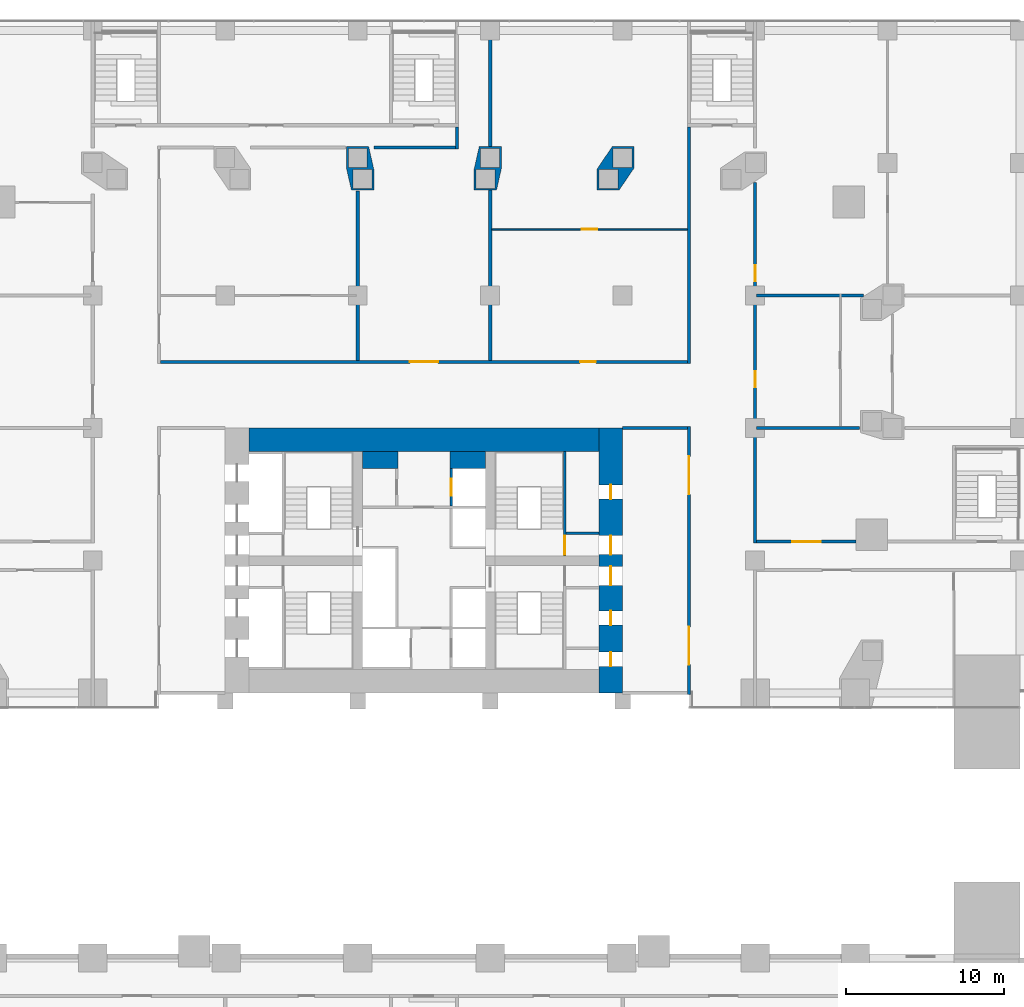
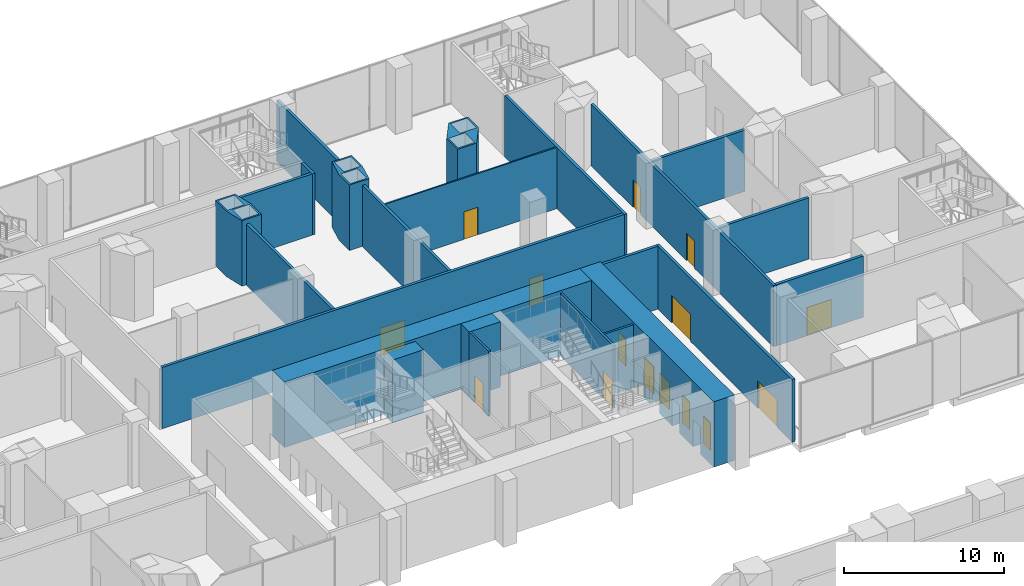
# One storey, part 19 of 28: 24 walls, 15 doors, 15 openings.
"""IFC4 building model written with IfcOpenShell, lengths in metres."""

from ifc_helpers import new_model, si_unit, direction, frame, frame_2d, origin, place, context, subcontext, project, spatial, polyline, rectangle, outline, extrude, material, layer, layer_set, type_object, element, fill, save


model = new_model("IFC4")

# Units and contexts
model_context = context("Model", 3, precision=1e-05, world=origin(), true_north=direction((0.0, 1.0)))
body_context = subcontext(model_context, "Body", "Model", "MODEL_VIEW")
ifc_project = project(units=[si_unit("LENGTHUNIT", "METRE"), si_unit("AREAUNIT", "SQUARE_METRE"), si_unit("VOLUMEUNIT", "CUBIC_METRE"), si_unit("PLANEANGLEUNIT", "RADIAN"), si_unit("MASSUNIT", "GRAM", prefix="KILO")], contexts=[model_context])

# Site, building, storey
site_placement = place(None, origin())
site = spatial("IfcSite", under=ifc_project, at=site_placement, CompositionType="ELEMENT")
building_placement = place(site_placement, origin())
building = spatial("IfcBuilding", under=site, at=building_placement, Name="Marenta Gate Hotel Tower", CompositionType="ELEMENT")
storey_placement = place(building_placement, frame((0.0, 0.0, 26.0)))
storey = spatial("IfcBuildingStorey", under=building, at=storey_placement, Name="L04", CompositionType="ELEMENT", Elevation=26.0)

# Wall, openings, doors
ifc_material_1 = material(Name="Concrete blockwork", Category="masonry")
ifc_layer_1 = layer(ifc_material_1, 0.199951171875)
ifc_layer_set_1 = layer_set([ifc_layer_1], Name="Concrete blockwork")
wall_type_1 = type_object("IfcWallType", Name="Core boundary wall 200 REI 180", PredefinedType="PARTITIONING", material=ifc_layer_set_1)
wall_1_placement = place(storey_placement, frame((16.800048828125, -0.10009765625, 0.0), z_axis=(0.0, 0.0, 1.0), x_axis=(0.0, 1.0, 0.0)))
wall_1 = element("IfcWall", 1, at=wall_1_placement, inside=storey, type_object=wall_type_1, Name="L04-CP-BW-E", PredefinedType="PARTITIONING", context=body_context, shape_type="SweptSolid", body=[
    extrude(rectangle(XDim=17.0, YDim=0.199951171875, at=frame_2d((8.5, 0.0))), origin(), (0.0, 0.0, 1.0), 4.800048828125),
])
opening_1_placement = place(wall_1_placement, frame((1.89990234375, 0.0, 0.0)))
opening_1 = element("IfcOpeningElement", 2, at=opening_1_placement, cuts=wall_1, Name="Opening ED-Ea-A", PredefinedType="OPENING", context=body_context, shape_type="SweptSolid", body=[
    extrude(rectangle(XDim=2.39990234375, YDim=2.10009765625, at=frame_2d((1.199951171875, 1.050048828125))), frame((0.0, 0.10009765625, 0.0), z_axis=(0.0, -1.0, 0.0), x_axis=(1.0, 0.0, 0.0)), (0.0, 0.0, 1.0), 0.199951171875),
])
opening_2_placement = place(wall_1_placement, frame((12.699951171875, 0.0, 0.0)))
opening_2 = element("IfcOpeningElement", 3, at=opening_2_placement, cuts=wall_1, Name="Opening ED-Eb-A", PredefinedType="OPENING", context=body_context, shape_type="SweptSolid", body=[
    extrude(rectangle(XDim=2.39990234375, YDim=2.10009765625, at=frame_2d((1.199951171875, 1.050048828125))), frame((0.0, 0.10009765625, 0.0), z_axis=(0.0, -1.0, 0.0), x_axis=(1.0, 0.0, 0.0)), (0.0, 0.0, 1.0), 0.199951171875),
])
ifc_material_2 = material(Name="Steel", Category="steel")
door_type_1 = type_object("IfcDoorType", Name="Core lobby entrance door 2400x2100 EI 60", OperationType="DOUBLE_DOOR_SINGLE_SWING", PredefinedType="DOOR", material=ifc_material_2)
door_1_placement = place(opening_1_placement, origin())
door_1 = element("IfcDoor", 4, at=door_1_placement, inside=storey, type_object=door_type_1, Name="ED-Ea-A", OperationType="DOUBLE_DOOR_SINGLE_SWING", OverallHeight=2.10009765625, OverallWidth=2.39990234375, PredefinedType="DOOR", context=body_context, shape_type="SweptSolid", body=[
    extrude(rectangle(XDim=2.39990234375, YDim=2.10009765625, at=frame_2d((1.199951171875, 1.050048828125))), frame((0.0, 0.02490234375, 0.0), z_axis=(0.0, -1.0, 0.0), x_axis=(1.0, 0.0, 0.0)), (0.0, 0.0, 1.0), 0.050048828125),
])
fill(opening_1, door_1)
door_2_placement = place(opening_2_placement, origin())
door_2 = element("IfcDoor", 5, at=door_2_placement, inside=storey, type_object=door_type_1, Name="ED-Eb-A", OperationType="DOUBLE_DOOR_SINGLE_SWING", OverallHeight=2.10009765625, OverallWidth=2.39990234375, PredefinedType="DOOR", context=body_context, shape_type="SweptSolid", body=[
    extrude(rectangle(XDim=2.39990234375, YDim=2.10009765625, at=frame_2d((1.199951171875, 1.050048828125))), frame((0.0, 0.02490234375, 0.0), z_axis=(0.0, -1.0, 0.0), x_axis=(1.0, 0.0, 0.0)), (0.0, 0.0, 1.0), 0.050048828125),
])
fill(opening_2, door_2)

# Walls
wall_2_placement = place(storey_placement, frame((12.60009765625, 16.800048828125, 0.0), z_axis=(0.0, 0.0, 1.0), x_axis=(1.0, 0.0, 0.0)))
element("IfcWall", 6, at=wall_2_placement, inside=storey, type_object=wall_type_1, Name="L04-CP-EW-EN", PredefinedType="PARTITIONING", context=body_context, shape_type="SweptSolid", body=[
    extrude(rectangle(XDim=4.099853515625, YDim=0.199951171875, at=frame_2d((2.0498046875, 0.0))), origin(), (0.0, 0.0, 1.0), 4.800048828125),
])
ifc_material_3 = material(Name="Concrete blockwork", Category="masonry")
ifc_layer_2 = layer(ifc_material_3, 1.050048828125)
ifc_layer_set_2 = layer_set([ifc_layer_2], Name="Concrete blockwork")
wall_type_2 = type_object("IfcWallType", Name="Core room partition 1050 REI 180", PredefinedType="PARTITIONING", material=ifc_layer_set_2)
wall_3_placement = place(storey_placement, frame((-3.89990234375, 14.77490234375, 0.0), z_axis=(0.0, 0.0, 1.0), x_axis=(1.0, 0.0, 0.0)))
element("IfcWall", 7, at=wall_3_placement, inside=storey, type_object=wall_type_2, Name="L04-CP-CW-W-riser-N", PredefinedType="PARTITIONING", context=body_context, shape_type="SweptSolid", body=[
    extrude(rectangle(XDim=2.25, YDim=1.050048828125, at=frame_2d((1.125, 0.0))), origin(), (0.0, 0.0, 1.0), 4.800048828125),
])
ifc_material_4 = material(Name="Concrete blockwork", Category="masonry")
ifc_layer_3 = layer(ifc_material_4, 0.14990234375)
ifc_layer_set_3 = layer_set([ifc_layer_3], Name="Concrete blockwork")
wall_type_3 = type_object("IfcWallType", Name="Core room partition 150 REI 180", PredefinedType="PARTITIONING", material=ifc_layer_set_3)
wall_4_placement = place(storey_placement, frame((9.0, 10.125, 0.0), z_axis=(0.0, 0.0, 1.0), x_axis=(1.0, 0.0, 0.0)))
element("IfcWall", 8, at=wall_4_placement, inside=storey, type_object=wall_type_3, Name="L04-CP-SW-EN-2", PredefinedType="PARTITIONING", context=body_context, shape_type="SweptSolid", body=[
    extrude(rectangle(XDim=2.10009765625, YDim=0.14990234375, at=frame_2d((1.050048828125, 0.0))), origin(), (0.0, 0.0, 1.0), 4.800048828125),
])
ifc_material_5 = material(Name="Concrete C40", Category="concrete")
ifc_layer_4 = layer(ifc_material_5, 1.050048828125)
ifc_layer_set_4 = layer_set([ifc_layer_4], Name="Concrete C40")
wall_type_4 = type_object("IfcWallType", Name="Core shaft wall 1050 REI 180", PredefinedType="SHEAR", material=ifc_layer_set_4)
wall_5_placement = place(storey_placement, frame((1.64990234375, 14.77490234375, 0.0), z_axis=(0.0, 0.0, 1.0), x_axis=(1.0, 0.0, 0.0)))
element("IfcWall", 9, at=wall_5_placement, inside=storey, type_object=wall_type_4, Name="L04-SHF-CE-N-top", PredefinedType="SHEAR", context=body_context, shape_type="SweptSolid", body=[
    extrude(rectangle(XDim=2.25, YDim=1.050048828125, at=frame_2d((1.125, 0.0))), origin(), (0.0, 0.0, 1.0), 5.0),
])

# Wall, opening, door
ifc_material_6 = material(Name="Concrete C40", Category="concrete")
ifc_layer_5 = layer(ifc_material_6, 0.14990234375)
ifc_layer_set_5 = layer_set([ifc_layer_5], Name="Concrete C40")
wall_type_5 = type_object("IfcWallType", Name="Core shaft wall 150 REI 180", PredefinedType="SHEAR", material=ifc_layer_set_5)
wall_6_placement = place(storey_placement, frame((1.72509765625, 11.85009765625, 0.0), z_axis=(0.0, 0.0, 1.0), x_axis=(0.0, 1.0, 0.0)))
wall_6 = element("IfcWall", 10, at=wall_6_placement, inside=storey, type_object=wall_type_5, Name="L04-SHF-CE-N-front2", PredefinedType="SHEAR", context=body_context, shape_type="SweptSolid", body=[
    extrude(rectangle(XDim=2.39990234375, YDim=0.14990234375, at=frame_2d((1.199951171875, 0.0))), origin(), (0.0, 0.0, 1.0), 5.0),
])
opening_3_placement = place(wall_6_placement, frame((0.64990234375, 0.0, 0.0)))
opening_3 = element("IfcOpeningElement", 11, at=opening_3_placement, cuts=wall_6, Name="Opening LD-FF2", PredefinedType="OPENING", context=body_context, shape_type="SweptSolid", body=[
    extrude(rectangle(XDim=1.10009765625, YDim=2.10009765625, at=frame_2d((0.550048828125, 1.050048828125))), frame((0.0, 0.074951171875, 0.0), z_axis=(0.0, -1.0, 0.0), x_axis=(1.0, 0.0, 0.0)), (0.0, 0.0, 1.0), 0.14990234375),
])
ifc_material_7 = material(Name="Steel", Category="steel")
door_type_2 = type_object("IfcDoorType", Name="Core lift landing door 1100x2100 E 60", OperationType="SLIDING_TO_LEFT", PredefinedType="DOOR", material=ifc_material_7)
door_3_placement = place(opening_3_placement, origin())
door_3 = element("IfcDoor", 12, at=door_3_placement, inside=storey, type_object=door_type_2, Name="LD-FF2", OperationType="SLIDING_TO_LEFT", OverallHeight=2.10009765625, OverallWidth=1.10009765625, PredefinedType="DOOR", context=body_context, shape_type="SweptSolid", body=[
    extrude(rectangle(XDim=1.10009765625, YDim=2.10009765625, at=frame_2d((0.550048828125, 1.050048828125))), frame((0.0, 0.02490234375, 0.0), z_axis=(0.0, -1.0, 0.0), x_axis=(1.0, 0.0, 0.0)), (0.0, 0.0, 1.0), 0.050048828125),
])
fill(opening_3, door_3)

ifc_material_8 = material(Name="Concrete C40", Category="concrete")
ifc_layer_6 = layer(ifc_material_8, 0.14990234375)
ifc_layer_set_6 = layer_set([ifc_layer_6], Name="Concrete C40")
wall_type_6 = type_object("IfcWallType", Name="Core stair enclosure wall 150 REI 180", PredefinedType="SHEAR", material=ifc_layer_set_6)
wall_7_placement = place(storey_placement, frame((8.925048828125, 8.699951171875, 0.0), z_axis=(0.0, 0.0, 1.0), x_axis=(0.0, 1.0, 0.0)))
wall_7 = element("IfcWall", 13, at=wall_7_placement, inside=storey, type_object=wall_type_6, Name="L04-SHF-SW-EN-3", PredefinedType="SHEAR", context=body_context, shape_type="SweptSolid", body=[
    extrude(rectangle(XDim=6.60009765625, YDim=0.14990234375, at=frame_2d((3.300048828125, 0.0))), origin(), (0.0, 0.0, 1.0), 4.800048828125),
])
opening_4_placement = place(wall_7_placement, frame((0.074951171875, 0.0, 0.0)))
opening_4 = element("IfcOpeningElement", 14, at=opening_4_placement, cuts=wall_7, Name="Opening SD-EN", PredefinedType="OPENING", context=body_context, shape_type="SweptSolid", body=[
    extrude(rectangle(XDim=1.199951171875, YDim=2.10009765625, at=frame_2d((0.60009765625, 1.050048828125))), frame((0.0, 0.074951171875, 0.0), z_axis=(0.0, -1.0, 0.0), x_axis=(1.0, 0.0, 0.0)), (0.0, 0.0, 1.0), 0.14990234375),
])
ifc_material_9 = material(Name="Steel", Category="steel")
door_type_3 = type_object("IfcDoorType", Name="Core stair door 1200x2100 FD60", OperationType="SINGLE_SWING_LEFT", PredefinedType="DOOR", material=ifc_material_9)
door_4_placement = place(opening_4_placement, origin())
door_4 = element("IfcDoor", 15, at=door_4_placement, inside=storey, type_object=door_type_3, Name="SD-EN", OperationType="SINGLE_SWING_LEFT", OverallHeight=2.10009765625, OverallWidth=1.199951171875, PredefinedType="DOOR", context=body_context, shape_type="SweptSolid", body=[
    extrude(rectangle(XDim=1.199951171875, YDim=2.10009765625, at=frame_2d((0.60009765625, 1.050048828125))), frame((0.0, 0.02490234375, 0.0), z_axis=(0.0, -1.0, 0.0), x_axis=(1.0, 0.0, 0.0)), (0.0, 0.0, 1.0), 0.050048828125),
])
fill(opening_4, door_4)

# Wall, openings, doors
ifc_material_10 = material(Name="Concrete C80", Category="concrete")
ifc_layer_7 = layer(ifc_material_10, 1.5)
ifc_layer_set_7 = layer_set([ifc_layer_7], Name="Concrete C80")
wall_type_7 = type_object("IfcWallType", Name="Core wall 1500 C80", PredefinedType="SHEAR", material=ifc_layer_set_7)
wall_8_placement = place(storey_placement, frame((11.85009765625, 0.0, 0.0), z_axis=(0.0, 0.0, 1.0), x_axis=(0.0, 1.0, 0.0)))
wall_8 = element("IfcWall", 16, at=wall_8_placement, inside=storey, type_object=wall_type_7, Name="L04-CORE-E", PredefinedType="SHEAR", context=body_context, shape_type="SweptSolid", body=[
    extrude(rectangle(XDim=16.800048828125, YDim=1.5, at=frame_2d((8.39990234375, 0.0))), origin(), (0.0, 0.0, 1.0), 5.0),
])
opening_5_placement = place(wall_8_placement, frame((1.6875, 0.0, 0.0)))
opening_5 = element("IfcOpeningElement", 17, at=opening_5_placement, cuts=wall_8, Name="Opening RD-ES-1", PredefinedType="OPENING", context=body_context, shape_type="SweptSolid", body=[
    extrude(rectangle(XDim=0.89990234375, YDim=2.10009765625, at=frame_2d((0.449951171875, 1.050048828125))), frame((0.0, 0.75, 0.0), z_axis=(0.0, -1.0, 0.0), x_axis=(1.0, 0.0, 0.0)), (0.0, 0.0, 1.0), 1.5),
])
opening_6_placement = place(wall_8_placement, frame((4.3125, 0.0, 0.0)))
opening_6 = element("IfcOpeningElement", 18, at=opening_6_placement, cuts=wall_8, Name="Opening RD-ES-2", PredefinedType="OPENING", context=body_context, shape_type="SweptSolid", body=[
    extrude(rectangle(XDim=0.89990234375, YDim=2.10009765625, at=frame_2d((0.449951171875, 1.050048828125))), frame((0.0, 0.75, 0.0), z_axis=(0.0, -1.0, 0.0), x_axis=(1.0, 0.0, 0.0)), (0.0, 0.0, 1.0), 1.5),
])
opening_7_placement = place(wall_8_placement, frame((6.824951171875, 0.0, 0.0)))
opening_7 = element("IfcOpeningElement", 19, at=opening_7_placement, cuts=wall_8, Name="Opening PD-ES", PredefinedType="OPENING", context=body_context, shape_type="SweptSolid", body=[
    extrude(rectangle(XDim=1.199951171875, YDim=2.10009765625, at=frame_2d((0.60009765625, 1.050048828125))), frame((0.0, 0.75, 0.0), z_axis=(0.0, -1.0, 0.0), x_axis=(1.0, 0.0, 0.0)), (0.0, 0.0, 1.0), 1.5),
])
opening_8_placement = place(wall_8_placement, frame((12.300048828125, 0.0, 0.0)))
opening_8 = element("IfcOpeningElement", 20, at=opening_8_placement, cuts=wall_8, Name="Opening RD-EN-1", PredefinedType="OPENING", context=body_context, shape_type="SweptSolid", body=[
    extrude(rectangle(XDim=0.89990234375, YDim=2.10009765625, at=frame_2d((0.449951171875, 1.050048828125))), frame((0.0, 0.75, 0.0), z_axis=(0.0, -1.0, 0.0), x_axis=(1.0, 0.0, 0.0)), (0.0, 0.0, 1.0), 1.5),
])
opening_9_placement = place(wall_8_placement, frame((8.77490234375, 0.0, 0.0)))
opening_9 = element("IfcOpeningElement", 21, at=opening_9_placement, cuts=wall_8, Name="Opening PD-EN", PredefinedType="OPENING", context=body_context, shape_type="SweptSolid", body=[
    extrude(rectangle(XDim=1.199951171875, YDim=2.10009765625, at=frame_2d((0.60009765625, 1.050048828125))), frame((0.0, 0.75, 0.0), z_axis=(0.0, -1.0, 0.0), x_axis=(1.0, 0.0, 0.0)), (0.0, 0.0, 1.0), 1.5),
])
ifc_material_11 = material(Name="Steel", Category="steel")
door_type_4 = type_object("IfcDoorType", Name="Core lobby door 1200x2100 FD60", OperationType="SINGLE_SWING_LEFT", PredefinedType="DOOR", material=ifc_material_11)
door_5_placement = place(opening_7_placement, origin())
door_5 = element("IfcDoor", 22, at=door_5_placement, inside=storey, type_object=door_type_4, Name="PD-ES", OperationType="SINGLE_SWING_LEFT", OverallHeight=2.10009765625, OverallWidth=1.199951171875, PredefinedType="DOOR", context=body_context, shape_type="SweptSolid", body=[
    extrude(rectangle(XDim=1.199951171875, YDim=2.10009765625, at=frame_2d((0.60009765625, 1.050048828125))), frame((0.0, 0.02490234375, 0.0), z_axis=(0.0, -1.0, 0.0), x_axis=(1.0, 0.0, 0.0)), (0.0, 0.0, 1.0), 0.050048828125),
])
fill(opening_7, door_5)
door_6_placement = place(opening_9_placement, origin())
door_6 = element("IfcDoor", 23, at=door_6_placement, inside=storey, type_object=door_type_4, Name="PD-EN", OperationType="SINGLE_SWING_LEFT", OverallHeight=2.10009765625, OverallWidth=1.199951171875, PredefinedType="DOOR", context=body_context, shape_type="SweptSolid", body=[
    extrude(rectangle(XDim=1.199951171875, YDim=2.10009765625, at=frame_2d((0.60009765625, 1.050048828125))), frame((0.0, 0.02490234375, 0.0), z_axis=(0.0, -1.0, 0.0), x_axis=(1.0, 0.0, 0.0)), (0.0, 0.0, 1.0), 0.050048828125),
])
fill(opening_9, door_6)
ifc_material_12 = material(Name="Steel", Category="steel")
door_type_5 = type_object("IfcDoorType", Name="Core service room door 900x2100 FD30S", OperationType="SINGLE_SWING_LEFT", PredefinedType="DOOR", material=ifc_material_12)
door_7_placement = place(opening_5_placement, origin())
door_7 = element("IfcDoor", 24, at=door_7_placement, inside=storey, type_object=door_type_5, Name="RD-ES-1", OperationType="SINGLE_SWING_LEFT", OverallHeight=2.10009765625, OverallWidth=0.89990234375, PredefinedType="DOOR", context=body_context, shape_type="SweptSolid", body=[
    extrude(rectangle(XDim=0.89990234375, YDim=2.10009765625, at=frame_2d((0.449951171875, 1.050048828125))), frame((0.0, 0.02490234375, 0.0), z_axis=(0.0, -1.0, 0.0), x_axis=(1.0, 0.0, 0.0)), (0.0, 0.0, 1.0), 0.050048828125),
])
fill(opening_5, door_7)
door_8_placement = place(opening_6_placement, origin())
door_8 = element("IfcDoor", 25, at=door_8_placement, inside=storey, type_object=door_type_5, Name="RD-ES-2", OperationType="SINGLE_SWING_LEFT", OverallHeight=2.10009765625, OverallWidth=0.89990234375, PredefinedType="DOOR", context=body_context, shape_type="SweptSolid", body=[
    extrude(rectangle(XDim=0.89990234375, YDim=2.10009765625, at=frame_2d((0.449951171875, 1.050048828125))), frame((0.0, 0.02490234375, 0.0), z_axis=(0.0, -1.0, 0.0), x_axis=(1.0, 0.0, 0.0)), (0.0, 0.0, 1.0), 0.050048828125),
])
fill(opening_6, door_8)
door_9_placement = place(opening_8_placement, origin())
door_9 = element("IfcDoor", 26, at=door_9_placement, inside=storey, type_object=door_type_5, Name="RD-EN-1", OperationType="SINGLE_SWING_LEFT", OverallHeight=2.10009765625, OverallWidth=0.89990234375, PredefinedType="DOOR", context=body_context, shape_type="SweptSolid", body=[
    extrude(rectangle(XDim=0.89990234375, YDim=2.10009765625, at=frame_2d((0.449951171875, 1.050048828125))), frame((0.0, 0.02490234375, 0.0), z_axis=(0.0, -1.0, 0.0), x_axis=(1.0, 0.0, 0.0)), (0.0, 0.0, 1.0), 0.050048828125),
])
fill(opening_8, door_9)

# Walls
wall_9_placement = place(storey_placement, frame((-11.10009765625, 16.050048828125, 0.0), z_axis=(0.0, 0.0, 1.0), x_axis=(1.0, 0.0, 0.0)))
element("IfcWall", 27, at=wall_9_placement, inside=storey, type_object=wall_type_7, Name="L04-CORE-N", PredefinedType="SHEAR", context=body_context, shape_type="SweptSolid", body=[
    extrude(rectangle(XDim=22.2001953125, YDim=1.5, at=frame_2d((11.10009765625, 0.0))), origin(), (0.0, 0.0, 1.0), 5.0),
])
ifc_material_13 = material(Name="Concrete C70", Category="concrete")
ifc_layer_8 = layer(ifc_material_13, 1.60009765625)
ifc_layer_set_8 = layer_set([ifc_layer_8], Name="Concrete C70")
wall_type_8 = type_object("IfcWallType", Name="Pier wall board-marked concrete C70", PredefinedType="SOLIDWALL", material=ifc_layer_set_8)
wall_10_placement = place(storey_placement, origin())
element("IfcWall", 28, at=wall_10_placement, inside=storey, type_object=wall_type_8, Name="L04-PIER-6", PredefinedType="SOLIDWALL", context=body_context, shape_type="SweptSolid", body=[
    extrude(outline(polyline([(-4.919921875, 33.306640625), (-4.919921875, 34.639892578125), (-3.504150390625, 34.639892578125), (-3.181396484375, 33.21337890625), (-3.181396484375, 31.8798828125), (-4.59716796875, 31.8798828125), (-4.919921875, 33.306640625)]), holes=[polyline([(-4.50146484375, 32.0), (-3.301513671875, 32.0), (-3.301513671875, 33.199951171875), (-4.50146484375, 33.199951171875), (-4.50146484375, 32.0)]), polyline([(-4.800048828125, 33.320068359375), (-3.60009765625, 33.320068359375), (-3.60009765625, 34.52001953125), (-4.800048828125, 34.52001953125), (-4.800048828125, 33.320068359375)])]), origin(), (0.0, 0.0, 1.0), 5.0),
])
wall_11_placement = place(storey_placement, origin())
element("IfcWall", 29, at=wall_11_placement, inside=storey, type_object=wall_type_8, Name="L04-PIER-7", PredefinedType="SOLIDWALL", context=body_context, shape_type="SweptSolid", body=[
    extrude(outline(polyline([(3.181396484375, 33.21337890625), (3.504150390625, 34.639892578125), (4.919921875, 34.639892578125), (4.919921875, 33.306640625), (4.59716796875, 31.8798828125), (3.181396484375, 31.8798828125), (3.181396484375, 33.21337890625)]), holes=[polyline([(3.60009765625, 33.320068359375), (4.800048828125, 33.320068359375), (4.800048828125, 34.52001953125), (3.60009765625, 34.52001953125), (3.60009765625, 33.320068359375)]), polyline([(3.301513671875, 32.0), (4.50146484375, 32.0), (4.50146484375, 33.199951171875), (3.301513671875, 33.199951171875), (3.301513671875, 32.0)])]), origin(), (0.0, 0.0, 1.0), 5.0),
])
wall_12_placement = place(storey_placement, origin())
element("IfcWall", 30, at=wall_12_placement, inside=storey, type_object=wall_type_8, Name="L04-PIER-8", PredefinedType="SOLIDWALL", context=body_context, shape_type="SweptSolid", body=[
    extrude(outline(polyline([(11.9365234375, 34.639892578125), (13.320068359375, 34.639892578125), (13.320068359375, 33.283203125), (12.36767578125, 31.8798828125), (10.984130859375, 31.8798828125), (10.984130859375, 33.23681640625), (11.9365234375, 34.639892578125)]), holes=[polyline([(13.199951171875, 33.320068359375), (13.199951171875, 34.52001953125), (12.0, 34.52001953125), (12.0, 33.320068359375), (13.199951171875, 33.320068359375)]), polyline([(12.30419921875, 32.0), (12.30419921875, 33.199951171875), (11.10400390625, 33.199951171875), (11.10400390625, 32.0), (12.30419921875, 32.0)])]), origin(), (0.0, 0.0, 1.0), 5.0),
])

# Wall, openings, doors
ifc_material_14 = material(Name="Concrete blockwork", Category="masonry")
ifc_layer_9 = layer(ifc_material_14, 0.199951171875)
ifc_layer_set_9 = layer_set([ifc_layer_9], Name="Concrete blockwork")
wall_type_9 = type_object("IfcWallType", Name="Room corridor wall 200 EI 120", PredefinedType="PARTITIONING", material=ifc_layer_set_9)
wall_13_placement = place(storey_placement, frame((21.0, 9.5, 0.0), z_axis=(0.0, 0.0, 1.0), x_axis=(0.0, 1.0, 0.0)))
wall_13 = element("IfcWall", 31, at=wall_13_placement, inside=storey, type_object=wall_type_9, Name="L04-PTN-W013", PredefinedType="PARTITIONING", context=body_context, shape_type="SweptSolid", body=[
    extrude(rectangle(XDim=22.87109375, YDim=0.199951171875, at=frame_2d((11.435546875, 0.0))), origin(), (0.0, 0.0, 1.0), 4.679931640625),
])
opening_10_placement = place(wall_13_placement, frame((9.89990234375, 0.0, 0.0)))
opening_10 = element("IfcOpeningElement", 32, at=opening_10_placement, cuts=wall_13, Name="Opening S05-13", PredefinedType="OPENING", context=body_context, shape_type="SweptSolid", body=[
    extrude(rectangle(XDim=1.0, YDim=2.10009765625, at=frame_2d((0.5, 1.050048828125))), frame((0.0, 0.10009765625, 0.0), z_axis=(0.0, -1.0, 0.0), x_axis=(1.0, 0.0, 0.0)), (0.0, 0.0, 1.0), 0.199951171875),
])
opening_11_placement = place(wall_13_placement, frame((16.616943359375, 0.0, 0.0)))
opening_11 = element("IfcOpeningElement", 33, at=opening_11_placement, cuts=wall_13, Name="Opening S05-16", PredefinedType="OPENING", context=body_context, shape_type="SweptSolid", body=[
    extrude(rectangle(XDim=1.0, YDim=2.10009765625, at=frame_2d((0.5, 1.050048828125))), frame((0.0, 0.10009765625, 0.0), z_axis=(0.0, -1.0, 0.0), x_axis=(1.0, 0.0, 0.0)), (0.0, 0.0, 1.0), 0.199951171875),
])
ifc_material_15 = material(Name="Hollow steel door set", Category="steel")
door_type_6 = type_object("IfcDoorType", Name="Room service door 1000x2100 EI 60", OperationType="NOTDEFINED", PredefinedType="DOOR", material=ifc_material_15)
door_10_placement = place(opening_11_placement, origin())
door_10 = element("IfcDoor", 34, at=door_10_placement, inside=storey, type_object=door_type_6, Name="L04-PD-D016", OperationType="SINGLE_SWING_RIGHT", OverallHeight=2.10009765625, OverallWidth=1.0, PredefinedType="DOOR", context=body_context, shape_type="SweptSolid", body=[
    extrude(rectangle(XDim=1.0, YDim=2.10009765625, at=frame_2d((0.5, 1.050048828125))), frame((0.0, 0.02490234375, 0.0), z_axis=(0.0, -1.0, 0.0), x_axis=(1.0, 0.0, 0.0)), (0.0, 0.0, 1.0), 0.050048828125),
])
fill(opening_11, door_10)
ifc_material_16 = material(Name="Timber door leaf", Category="wood")
door_type_7 = type_object("IfcDoorType", Name="Toilet room door 1000x2100 EI 60", OperationType="NOTDEFINED", PredefinedType="DOOR", material=ifc_material_16)
door_11_placement = place(opening_10_placement, origin())
door_11 = element("IfcDoor", 35, at=door_11_placement, inside=storey, type_object=door_type_7, Name="L04-PD-D013", OperationType="SINGLE_SWING_RIGHT", OverallHeight=2.10009765625, OverallWidth=1.0, PredefinedType="DOOR", context=body_context, shape_type="SweptSolid", body=[
    extrude(rectangle(XDim=1.0, YDim=2.10009765625, at=frame_2d((0.5, 1.050048828125))), frame((0.0, 0.02490234375, 0.0), z_axis=(0.0, -1.0, 0.0), x_axis=(1.0, 0.0, 0.0)), (0.0, 0.0, 1.0), 0.050048828125),
])
fill(opening_10, door_11)

# Wall
wall_14_placement = place(storey_placement, frame((16.800048828125, 20.89990234375, 0.0), z_axis=(0.0, 0.0, 1.0), x_axis=(0.0, 1.0, 0.0)))
element("IfcWall", 36, at=wall_14_placement, inside=storey, type_object=wall_type_9, Name="L04-PTN-W019", PredefinedType="PARTITIONING", context=body_context, shape_type="SweptSolid", body=[
    extrude(rectangle(XDim=15.0, YDim=0.199951171875, at=frame_2d((7.5, 0.0))), origin(), (0.0, 0.0, 1.0), 4.679931640625),
])

# Wall, openings, doors
wall_15_placement = place(storey_placement, frame((-16.699951171875, 21.0, 0.0), z_axis=(0.0, 0.0, 1.0), x_axis=(1.0, 0.0, 0.0)))
wall_15 = element("IfcWall", 37, at=wall_15_placement, inside=storey, type_object=wall_type_9, Name="L04-PTN-W049", PredefinedType="PARTITIONING", context=body_context, shape_type="SweptSolid", body=[
    extrude(rectangle(XDim=33.39990234375, YDim=0.199951171875, at=frame_2d((16.699951171875, 0.0))), origin(), (0.0, 0.0, 1.0), 4.679931640625),
])
opening_12_placement = place(wall_15_placement, frame((15.800048828125, 0.0, 0.0)))
opening_12 = element("IfcOpeningElement", 38, at=opening_12_placement, cuts=wall_15, Name="Opening S05-22", PredefinedType="OPENING", context=body_context, shape_type="SweptSolid", body=[
    extrude(rectangle(XDim=1.800048828125, YDim=2.10009765625, at=frame_2d((0.89990234375, 1.050048828125))), frame((0.0, 0.10009765625, 0.0), z_axis=(0.0, -1.0, 0.0), x_axis=(1.0, 0.0, 0.0)), (0.0, 0.0, 1.0), 0.199951171875),
])
opening_13_placement = place(wall_15_placement, frame((26.60009765625, 0.0, 0.0)))
opening_13 = element("IfcOpeningElement", 39, at=opening_13_placement, cuts=wall_15, Name="Opening S05-23", PredefinedType="OPENING", context=body_context, shape_type="SweptSolid", body=[
    extrude(rectangle(XDim=1.0, YDim=2.10009765625, at=frame_2d((0.5, 1.050048828125))), frame((0.0, 0.10009765625, 0.0), z_axis=(0.0, -1.0, 0.0), x_axis=(1.0, 0.0, 0.0)), (0.0, 0.0, 1.0), 0.199951171875),
])
ifc_material_17 = material(Name="Timber door leaf", Category="wood")
door_type_8 = type_object("IfcDoorType", Name="Room amenity door 1800x2100 EI 60", OperationType="DOUBLE_DOOR_SINGLE_SWING", PredefinedType="DOOR", material=ifc_material_17)
door_12_placement = place(opening_12_placement, origin())
door_12 = element("IfcDoor", 40, at=door_12_placement, inside=storey, type_object=door_type_8, Name="L04-PD-D022", OperationType="DOUBLE_DOOR_SINGLE_SWING", OverallHeight=2.10009765625, OverallWidth=1.800048828125, PredefinedType="DOOR", context=body_context, shape_type="SweptSolid", body=[
    extrude(rectangle(XDim=1.800048828125, YDim=2.10009765625, at=frame_2d((0.89990234375, 1.050048828125))), frame((0.0, 0.02490234375, 0.0), z_axis=(0.0, -1.0, 0.0), x_axis=(1.0, 0.0, 0.0)), (0.0, 0.0, 1.0), 0.050048828125),
])
fill(opening_12, door_12)
door_13_placement = place(opening_13_placement, origin())
door_13 = element("IfcDoor", 41, at=door_13_placement, inside=storey, type_object=door_type_6, Name="L04-PD-D023", OperationType="SINGLE_SWING_RIGHT", OverallHeight=2.10009765625, OverallWidth=1.0, PredefinedType="DOOR", context=body_context, shape_type="SweptSolid", body=[
    extrude(rectangle(XDim=1.0, YDim=2.10009765625, at=frame_2d((0.5, 1.050048828125))), frame((0.0, 0.02490234375, 0.0), z_axis=(0.0, -1.0, 0.0), x_axis=(1.0, 0.0, 0.0)), (0.0, 0.0, 1.0), 0.050048828125),
])
fill(opening_13, door_13)

# Wall
ifc_material_18 = material(Name="Concrete blockwork", Category="masonry")
ifc_layer_10 = layer(ifc_material_18, 0.199951171875)
ifc_layer_set_10 = layer_set([ifc_layer_10], Name="Concrete blockwork")
wall_type_10 = type_object("IfcWallType", Name="Room corridor wall 200 REI 180", PredefinedType="PARTITIONING", material=ifc_layer_set_10)
wall_16_placement = place(storey_placement, frame((2.10009765625, 34.5, 0.0), z_axis=(0.0, 0.0, 1.0), x_axis=(0.0, 1.0, 0.0)))
element("IfcWall", 42, at=wall_16_placement, inside=storey, type_object=wall_type_10, Name="L04-PTN-W026", PredefinedType="PARTITIONING", context=body_context, shape_type="SweptSolid", body=[
    extrude(rectangle(XDim=1.39990234375, YDim=0.199951171875, at=frame_2d((0.699951171875, 0.0))), origin(), (0.0, 0.0, 1.0), 4.679931640625),
])

# Wall, opening, door
wall_17_placement = place(storey_placement, frame((21.10009765625, 9.60009765625, 0.0), z_axis=(0.0, 0.0, 1.0), x_axis=(1.0, 0.0, 0.0)))
wall_17 = element("IfcWall", 43, at=wall_17_placement, inside=storey, type_object=wall_type_10, Name="L04-PTN-W034", PredefinedType="PARTITIONING", context=body_context, shape_type="SweptSolid", body=[
    extrude(rectangle(XDim=6.2998046875, YDim=0.199951171875, at=frame_2d((3.14990234375, 0.0))), origin(), (0.0, 0.0, 1.0), 4.679931640625),
])
opening_14_placement = place(wall_17_placement, frame((2.25, 0.0, 0.0)))
opening_14 = element("IfcOpeningElement", 44, at=opening_14_placement, cuts=wall_17, Name="Opening S05-11", PredefinedType="OPENING", context=body_context, shape_type="SweptSolid", body=[
    extrude(rectangle(XDim=1.800048828125, YDim=2.10009765625, at=frame_2d((0.89990234375, 1.050048828125))), frame((0.0, 0.10009765625, 0.0), z_axis=(0.0, -1.0, 0.0), x_axis=(1.0, 0.0, 0.0)), (0.0, 0.0, 1.0), 0.199951171875),
])
door_14_placement = place(opening_14_placement, origin())
door_14 = element("IfcDoor", 45, at=door_14_placement, inside=storey, type_object=door_type_8, Name="L04-PD-D011", OperationType="DOUBLE_DOOR_SINGLE_SWING", OverallHeight=2.10009765625, OverallWidth=1.800048828125, PredefinedType="DOOR", context=body_context, shape_type="SweptSolid", body=[
    extrude(rectangle(XDim=1.800048828125, YDim=2.10009765625, at=frame_2d((0.89990234375, 1.050048828125))), frame((0.0, 0.02490234375, 0.0), z_axis=(0.0, -1.0, 0.0), x_axis=(1.0, 0.0, 0.0)), (0.0, 0.0, 1.0), 0.050048828125),
])
fill(opening_14, door_14)

# Wall
wall_18_placement = place(storey_placement, frame((-3.180908203125, 34.60009765625, 0.0), z_axis=(0.0, 0.0, 1.0), x_axis=(1.0, 0.0, 0.0)))
element("IfcWall", 46, at=wall_18_placement, inside=storey, type_object=wall_type_10, Name="L04-PTN-W069", PredefinedType="PARTITIONING", context=body_context, shape_type="SweptSolid", body=[
    extrude(rectangle(XDim=5.180908203125, YDim=0.199951171875, at=frame_2d((2.59033203125, 0.0))), origin(), (0.0, 0.0, 1.0), 4.679931640625),
])

# Wall, opening, door
ifc_material_19 = material(Name="Gypsum board on steel stud", Category="steel")
ifc_layer_11 = layer(ifc_material_19, 0.10009765625)
ifc_layer_set_11 = layer_set([ifc_layer_11], Name="Gypsum board on steel stud")
wall_type_11 = type_object("IfcWallType", Name="Room partition 100", PredefinedType="PARTITIONING", material=ifc_layer_set_11)
wall_19_placement = place(storey_placement, frame((4.300048828125, 29.39990234375, 0.0), z_axis=(0.0, 0.0, 1.0), x_axis=(1.0, 0.0, 0.0)))
wall_19 = element("IfcWall", 47, at=wall_19_placement, inside=storey, type_object=wall_type_11, Name="L04-PTN-W059", PredefinedType="PARTITIONING", context=body_context, shape_type="SweptSolid", body=[
    extrude(rectangle(XDim=12.39990234375, YDim=0.10009765625, at=frame_2d((6.199951171875, 0.0))), origin(), (0.0, 0.0, 1.0), 4.679931640625),
])
opening_15_placement = place(wall_19_placement, frame((5.699951171875, 0.0, 0.0)))
opening_15 = element("IfcOpeningElement", 48, at=opening_15_placement, cuts=wall_19, Name="Opening S05-24", PredefinedType="OPENING", context=body_context, shape_type="SweptSolid", body=[
    extrude(rectangle(XDim=1.0, YDim=2.10009765625, at=frame_2d((0.5, 1.050048828125))), frame((0.0, 0.050048828125, 0.0), z_axis=(0.0, -1.0, 0.0), x_axis=(1.0, 0.0, 0.0)), (0.0, 0.0, 1.0), 0.10009765625),
])
ifc_material_20 = material(Name="Timber door leaf", Category="wood")
door_type_9 = type_object("IfcDoorType", Name="Room inner door 1000x2100", OperationType="NOTDEFINED", PredefinedType="DOOR", material=ifc_material_20)
door_15_placement = place(opening_15_placement, origin())
door_15 = element("IfcDoor", 49, at=door_15_placement, inside=storey, type_object=door_type_9, Name="L04-PD-D024", OperationType="SINGLE_SWING_RIGHT", OverallHeight=2.10009765625, OverallWidth=1.0, PredefinedType="DOOR", context=body_context, shape_type="SweptSolid", body=[
    extrude(rectangle(XDim=1.0, YDim=2.10009765625, at=frame_2d((0.5, 1.050048828125))), frame((0.0, 0.02490234375, 0.0), z_axis=(0.0, -1.0, 0.0), x_axis=(1.0, 0.0, 0.0)), (0.0, 0.0, 1.0), 0.050048828125),
])
fill(opening_15, door_15)

# Walls
ifc_material_21 = material(Name="Concrete blockwork", Category="masonry")
ifc_layer_12 = layer(ifc_material_21, 0.199951171875)
ifc_layer_set_12 = layer_set([ifc_layer_12], Name="Concrete blockwork")
wall_type_12 = type_object("IfcWallType", Name="Room party wall 200 EI 120", PredefinedType="PARTITIONING", material=ifc_layer_set_12)
wall_20_placement = place(storey_placement, frame((4.199951171875, 21.10009765625, 0.0), z_axis=(0.0, 0.0, 1.0), x_axis=(0.0, 1.0, 0.0)))
element("IfcWall", 50, at=wall_20_placement, inside=storey, type_object=wall_type_12, Name="L04-PTN-W022", PredefinedType="PARTITIONING", context=body_context, shape_type="SweptSolid", body=[
    extrude(rectangle(XDim=10.77978515625, YDim=0.199951171875, at=frame_2d((5.389892578125, 0.0))), origin(), (0.0, 0.0, 1.0), 4.679931640625),
])
wall_21_placement = place(storey_placement, frame((21.10009765625, 25.199951171875, 0.0), z_axis=(0.0, 0.0, 1.0), x_axis=(1.0, 0.0, 0.0)))
element("IfcWall", 51, at=wall_21_placement, inside=storey, type_object=wall_type_12, Name="L04-PTN-W052", PredefinedType="PARTITIONING", context=body_context, shape_type="SweptSolid", body=[
    extrude(rectangle(XDim=6.764892578125, YDim=0.199951171875, at=frame_2d((3.38232421875, 0.0))), origin(), (0.0, 0.0, 1.0), 4.679931640625),
])
ifc_material_22 = material(Name="Gypsum board on steel stud", Category="steel")
ifc_layer_13 = layer(ifc_material_22, 0.199951171875)
ifc_layer_set_13 = layer_set([ifc_layer_13], Name="Gypsum board on steel stud")
wall_type_13 = type_object("IfcWallType", Name="Room party wall 200 EI 60", PredefinedType="PARTITIONING", material=ifc_layer_set_13)
wall_22_placement = place(storey_placement, frame((4.199951171875, 34.639892578125, 0.0), z_axis=(0.0, 0.0, 1.0), x_axis=(0.0, 1.0, 0.0)))
element("IfcWall", 52, at=wall_22_placement, inside=storey, type_object=wall_type_13, Name="L04-PTN-W023", PredefinedType="PARTITIONING", context=body_context, shape_type="SweptSolid", body=[
    extrude(rectangle(XDim=7.944091796875, YDim=0.199951171875, at=frame_2d((3.97216796875, 0.0))), origin(), (0.0, 0.0, 1.0), 4.679931640625),
])
wall_23_placement = place(storey_placement, frame((-4.199951171875, 21.10009765625, 0.0), z_axis=(0.0, 0.0, 1.0), x_axis=(0.0, 1.0, 0.0)))
element("IfcWall", 53, at=wall_23_placement, inside=storey, type_object=wall_type_13, Name="L04-PTN-W029", PredefinedType="PARTITIONING", context=body_context, shape_type="SweptSolid", body=[
    extrude(rectangle(XDim=10.72998046875, YDim=0.199951171875, at=frame_2d((5.364990234375, 0.0))), origin(), (0.0, 0.0, 1.0), 4.679931640625),
])
wall_24_placement = place(storey_placement, frame((21.10009765625, 16.800048828125, 0.0), z_axis=(0.0, 0.0, 1.0), x_axis=(1.0, 0.0, 0.0)))
element("IfcWall", 54, at=wall_24_placement, inside=storey, type_object=wall_type_13, Name="L04-PTN-W043", PredefinedType="PARTITIONING", context=body_context, shape_type="SweptSolid", body=[
    extrude(rectangle(XDim=6.52978515625, YDim=0.199951171875, at=frame_2d((3.264892578125, 0.0))), origin(), (0.0, 0.0, 1.0), 4.679931640625),
])

save(model, "model.ifc")
